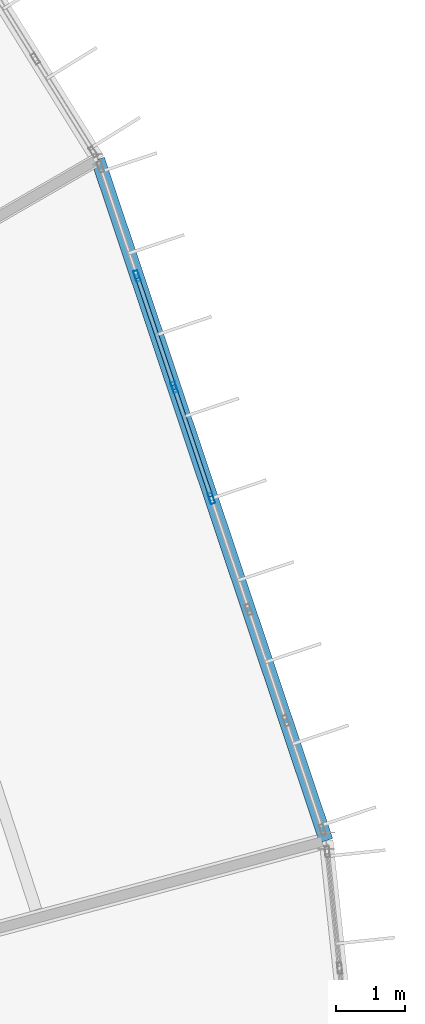
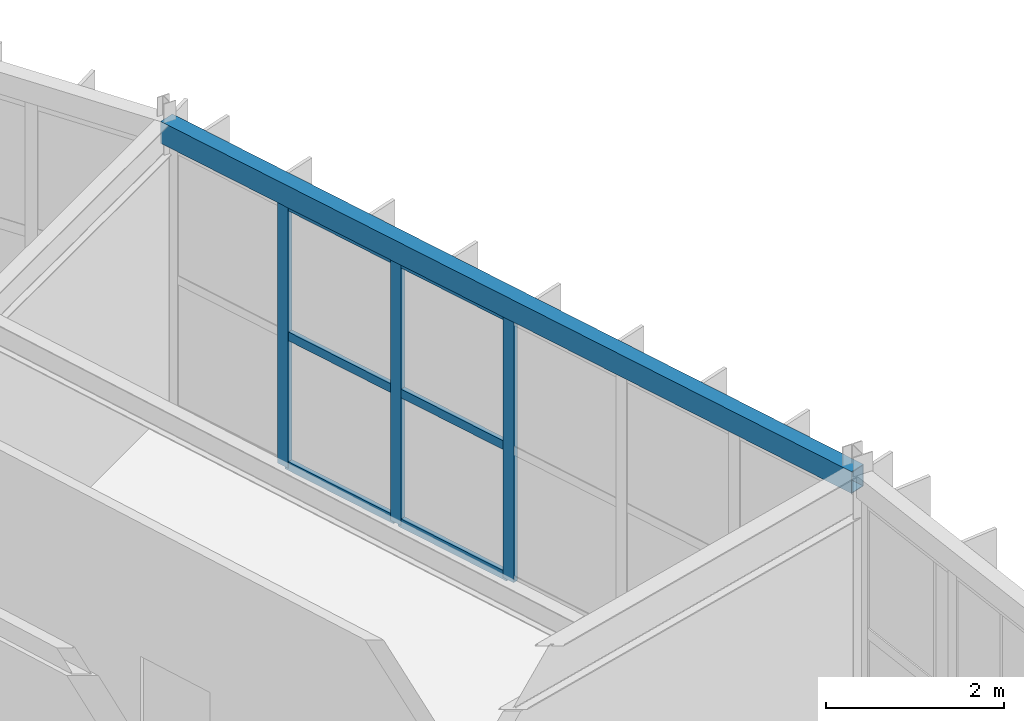
# One storey, part 95 of 157: 9 members, 1 beam, 1 element without a shape of its own.
"""IFC4 building model written with IfcOpenShell, lengths in metres."""

from ifc_helpers import new_model, si_unit, direction, frame, origin, origin_2d, place, context, subcontext, project, spatial, hollow_rectangle, extrude, material, material_profile, profile_set, type_object, element, aggregate, save


model = new_model("IFC4")

# Units and contexts
model_context = context("Model", 3, precision=1e-05, world=origin(), true_north=direction((0.0, 1.0)))
body_context = subcontext(model_context, "Body", "Model", "MODEL_VIEW")
ifc_project = project(units=[si_unit("LENGTHUNIT", "METRE"), si_unit("AREAUNIT", "SQUARE_METRE"), si_unit("VOLUMEUNIT", "CUBIC_METRE"), si_unit("PLANEANGLEUNIT", "RADIAN"), si_unit("MASSUNIT", "GRAM", prefix="KILO")], contexts=[model_context])

# Site, building, storey
site_placement = place(None, origin())
site = spatial("IfcSite", under=ifc_project, at=site_placement, CompositionType="ELEMENT")
building_placement = place(site_placement, origin())
building = spatial("IfcBuilding", under=site, at=building_placement, Name="Karori Crest Natural Sciences Institute", CompositionType="ELEMENT")
storey_placement = place(building_placement, frame((0.0, 0.0, 13.300048828125)))
storey = spatial("IfcBuildingStorey", under=building, at=storey_placement, Name="L03", CompositionType="ELEMENT", Elevation=13.300048828125)

# Beam
ifc_material_1 = material(Name="Hollow structural steel AS/NZS 1163 Grade C350", Category="steel")
ifc_material_profile_1 = material_profile(ifc_material_1, hollow_rectangle(XDim=0.199951171875, YDim=0.300048828125, WallThickness=0.010009765625, at=origin_2d()), Name="RHS300x200x10")
ifc_profile_set_1 = profile_set([ifc_material_profile_1], Name="Hollow structural steel AS/NZS 1163 Grade C350")
beam_type = type_object("IfcBeamType", Name="BT-15", PredefinedType="SPANDREL", material=ifc_profile_set_1)
beam_placement = place(storey_placement, frame((98.275634765625, 60.459716796875, 3.7900390625), z_axis=(-0.317681238028, 0.948197569605, 0.0), x_axis=(-0.948197569605, -0.317681238028, 0.0)))
element("IfcBeam", 1, at=beam_placement, inside=storey, type_object=beam_type, Name="Beam B-0363", PredefinedType="SPANDREL", context=body_context, shape_type="SweptSolid", body=[
    extrude(hollow_rectangle(XDim=0.199951171875, YDim=0.300048828125, WallThickness=0.010009765625, at=origin_2d()), origin(), (0.0, 0.0, 1.0), 10.3779296875),
])

# Curtain wall, members
ifc_material_2 = material(Name="Anodised architectural aluminium 6063-T6", Category="aluminium")
curtain_wall_type = type_object("IfcCurtainWallType", Name="CWT-02", PredefinedType="NOTDEFINED", material=ifc_material_2)
curtain_wall_placement = place(storey_placement, origin())
curtain_wall = element("IfcCurtainWall", 2, at=curtain_wall_placement, inside=storey, type_object=curtain_wall_type, Name="Curtain wall CW-0102", PredefinedType="NOTDEFINED")
ifc_material_profile_2 = material_profile(ifc_material_2, hollow_rectangle(XDim=0.06494140625, YDim=0.159912109375, WallThickness=0.00390625, at=origin_2d()), Name="CWM160x65x4")
ifc_profile_set_2 = profile_set([ifc_material_profile_2], Name="Anodised architectural aluminium 6063-T6")
member_type_1 = type_object("IfcMemberType", Name="CWM-01", PredefinedType="MULLION", material=ifc_profile_set_2)
member_1_placement = place(storey_placement, frame((95.54345703125, 68.614990234375, 0.0), z_axis=(0.0, 0.0, 1.0), x_axis=(0.94819805026, 0.317679803392, 0.0)))
member_1 = element("IfcMember", 3, at=member_1_placement, type_object=member_type_1, Name="CW-0102 mullion 2", PredefinedType="MULLION", context=body_context, shape_type="SweptSolid", body=[
    extrude(hollow_rectangle(XDim=0.06494140625, YDim=0.159912109375, WallThickness=0.00390625, at=origin_2d()), origin(), (0.0, 0.0, 1.0), 3.625),
])
member_2_placement = place(storey_placement, frame((96.08154296875, 67.0087890625, 0.0), z_axis=(0.0, 0.0, 1.0), x_axis=(0.94819805026, 0.317679803392, 0.0)))
member_2 = element("IfcMember", 4, at=member_2_placement, type_object=member_type_1, Name="CW-0102 mullion 3", PredefinedType="MULLION", context=body_context, shape_type="SweptSolid", body=[
    extrude(hollow_rectangle(XDim=0.06494140625, YDim=0.159912109375, WallThickness=0.00390625, at=origin_2d()), origin(), (0.0, 0.0, 1.0), 3.625),
])
member_3_placement = place(storey_placement, frame((96.619384765625, 65.40283203125, 0.0), z_axis=(0.0, 0.0, 1.0), x_axis=(0.94819805026, 0.317679803392, 0.0)))
member_3 = element("IfcMember", 5, at=member_3_placement, type_object=member_type_1, Name="CW-0102 mullion 4", PredefinedType="MULLION", context=body_context, shape_type="SweptSolid", body=[
    extrude(hollow_rectangle(XDim=0.06494140625, YDim=0.159912109375, WallThickness=0.00390625, at=origin_2d()), origin(), (0.0, 0.0, 1.0), 3.625),
])
ifc_material_profile_3 = material_profile(ifc_material_2, hollow_rectangle(XDim=0.06005859375, YDim=0.1201171875, WallThickness=0.00390625, at=origin_2d()), Name="CWT120x60x4")
ifc_profile_set_3 = profile_set([ifc_material_profile_3], Name="Anodised architectural aluminium 6063-T6")
member_type_2 = type_object("IfcMemberType", Name="CWT-TR1", PredefinedType="USERDEFINED", material=ifc_profile_set_3)
member_4_placement = place(storey_placement, frame((95.5537109375, 68.583984375, 0.030029296875), z_axis=(0.317666571129, -0.948202483432, 0.0), x_axis=(0.948202483432, 0.317666571129, 0.0)))
member_4 = element("IfcMember", 6, at=member_4_placement, type_object=member_type_2, Name="CW-0102 transom 2.1", ObjectType="TRANSOM", PredefinedType="USERDEFINED", context=body_context, shape_type="SweptSolid", body=[
    extrude(hollow_rectangle(XDim=0.06005859375, YDim=0.1201171875, WallThickness=0.00390625, at=origin_2d()), origin(), (0.0, 0.0, 1.0), 1.628662109375),
])
member_5_placement = place(storey_placement, frame((95.5537109375, 68.583984375, 1.8125), z_axis=(0.317666571129, -0.948202483432, 0.0), x_axis=(0.948202483432, 0.317666571129, 0.0)))
member_5 = element("IfcMember", 7, at=member_5_placement, type_object=member_type_2, Name="CW-0102 transom 2.2", ObjectType="TRANSOM", PredefinedType="USERDEFINED", context=body_context, shape_type="SweptSolid", body=[
    extrude(hollow_rectangle(XDim=0.06005859375, YDim=0.1201171875, WallThickness=0.00390625, at=origin_2d()), origin(), (0.0, 0.0, 1.0), 1.628662109375),
])
member_6_placement = place(storey_placement, frame((95.5537109375, 68.583984375, 3.594970703125), z_axis=(0.317666571129, -0.948202483432, 0.0), x_axis=(0.948202483432, 0.317666571129, 0.0)))
member_6 = element("IfcMember", 8, at=member_6_placement, type_object=member_type_2, Name="CW-0102 transom 2.3", ObjectType="TRANSOM", PredefinedType="USERDEFINED", context=body_context, shape_type="SweptSolid", body=[
    extrude(hollow_rectangle(XDim=0.06005859375, YDim=0.1201171875, WallThickness=0.00390625, at=origin_2d()), origin(), (0.0, 0.0, 1.0), 1.628662109375),
])
member_7_placement = place(storey_placement, frame((96.091796875, 66.97802734375, 0.030029296875), z_axis=(0.317666571129, -0.948202483432, 0.0), x_axis=(0.948202483432, 0.317666571129, 0.0)))
member_7 = element("IfcMember", 9, at=member_7_placement, type_object=member_type_2, Name="CW-0102 transom 3.1", ObjectType="TRANSOM", PredefinedType="USERDEFINED", context=body_context, shape_type="SweptSolid", body=[
    extrude(hollow_rectangle(XDim=0.06005859375, YDim=0.1201171875, WallThickness=0.00390625, at=origin_2d()), origin(), (0.0, 0.0, 1.0), 1.628662109375),
])
member_8_placement = place(storey_placement, frame((96.091796875, 66.97802734375, 1.8125), z_axis=(0.317666571129, -0.948202483432, 0.0), x_axis=(0.948202483432, 0.317666571129, 0.0)))
member_8 = element("IfcMember", 10, at=member_8_placement, type_object=member_type_2, Name="CW-0102 transom 3.2", ObjectType="TRANSOM", PredefinedType="USERDEFINED", context=body_context, shape_type="SweptSolid", body=[
    extrude(hollow_rectangle(XDim=0.06005859375, YDim=0.1201171875, WallThickness=0.00390625, at=origin_2d()), origin(), (0.0, 0.0, 1.0), 1.628662109375),
])
member_9_placement = place(storey_placement, frame((96.091796875, 66.97802734375, 3.594970703125), z_axis=(0.317666571129, -0.948202483432, 0.0), x_axis=(0.948202483432, 0.317666571129, 0.0)))
member_9 = element("IfcMember", 11, at=member_9_placement, type_object=member_type_2, Name="CW-0102 transom 3.3", ObjectType="TRANSOM", PredefinedType="USERDEFINED", context=body_context, shape_type="SweptSolid", body=[
    extrude(hollow_rectangle(XDim=0.06005859375, YDim=0.1201171875, WallThickness=0.00390625, at=origin_2d()), origin(), (0.0, 0.0, 1.0), 1.628662109375),
])
aggregate(curtain_wall, [member_1, member_2, member_3, member_4, member_5, member_6, member_7, member_8, member_9])

save(model, "model.ifc")
